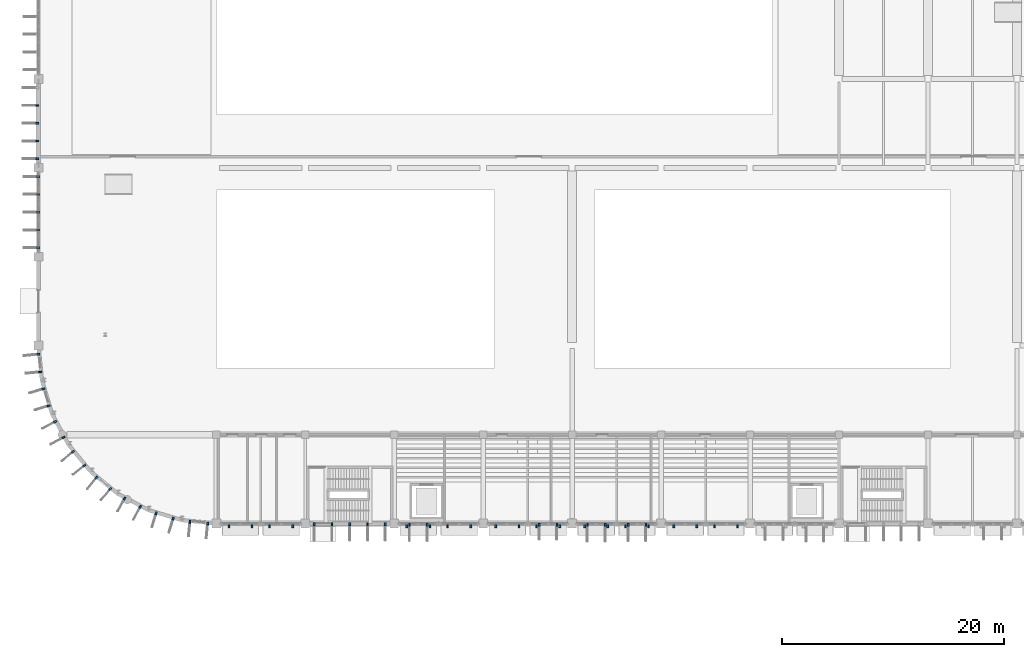
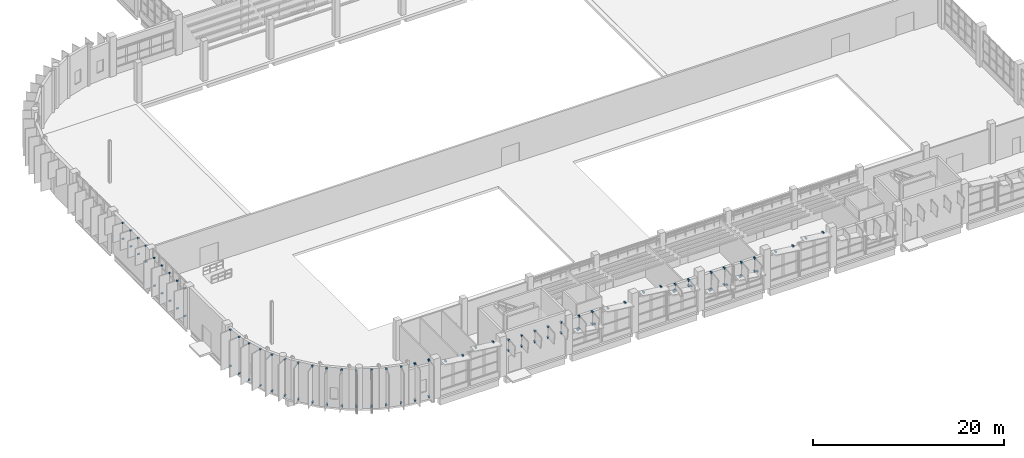
# One storey, part 87 of 103: 96 discrete accessories.
"""IFC4 building model written with IfcOpenShell, lengths in metres."""

from ifc_helpers import new_model, si_unit, direction, frame, origin, origin_2d, place, context, subcontext, project, spatial, rectangle, extrude, material, type_object, element, save


model = new_model("IFC4")

# Units and contexts
model_context = context("Model", 3, precision=1e-05, world=origin(), true_north=direction((0.0, 1.0)))
body_context = subcontext(model_context, "Body", "Model", "MODEL_VIEW")
ifc_project = project(units=[si_unit("LENGTHUNIT", "METRE"), si_unit("AREAUNIT", "SQUARE_METRE"), si_unit("VOLUMEUNIT", "CUBIC_METRE"), si_unit("PLANEANGLEUNIT", "RADIAN"), si_unit("MASSUNIT", "GRAM", prefix="KILO")], contexts=[model_context])

# Site, building, storey
site_placement = place(None, origin())
site = spatial("IfcSite", under=ifc_project, at=site_placement, CompositionType="ELEMENT")
building_placement = place(site_placement, origin())
building = spatial("IfcBuilding", under=site, at=building_placement, Name="Drelvana Railside Aquatics Centre", CompositionType="ELEMENT")
storey_placement = place(building_placement, origin())
storey = spatial("IfcBuildingStorey", under=building, at=storey_placement, Name="L00", CompositionType="ELEMENT", Elevation=0.0)

# Discrete accessories
ifc_material = material(Name="Stainless steel 316 facade bracket", Category="steel")
discrete_accessory_type = type_object("IfcDiscreteAccessoryType", Name="ACC-BRACKET-FIN", PredefinedType="BRACKET", material=ifc_material)
for number, where, z_axis, x_axis, name in (
    (1, (17.1298828125, 15.780029296875, 4.22119140625), (0.0, 0.0, 1.0), (1.0, 0.0, 0.0), "Eyelid louvre bracket BK-0001"),
    (2, (19.2099609375, 15.780029296875, 4.22119140625), (0.0, 0.0, 1.0), (1.0, 0.0, 0.0), "Eyelid louvre bracket BK-0002"),
    (3, (20.7900390625, 15.780029296875, 4.673828125), (0.0, 0.0, 1.0), (1.0, 0.0, 0.0), "Eyelid louvre bracket BK-0003"),
    (4, (22.8701171875, 15.780029296875, 4.673828125), (0.0, 0.0, 1.0), (1.0, 0.0, 0.0), "Eyelid louvre bracket BK-0004"),
):
    element("IfcDiscreteAccessory", number, at=place(storey_placement, frame(where, z_axis=z_axis, x_axis=x_axis)), inside=storey, type_object=discrete_accessory_type, Name=name, PredefinedType="BRACKET", context=body_context, shape_type="SweptSolid", body=[
        extrude(rectangle(XDim=0.159912109375, YDim=0.280029296875, at=origin_2d()), origin(), (0.0, 0.0, 1.0), 0.159912109375),
    ])
for number, where, z_axis, x_axis, name in (
    (5, (24.800048828125, 15.929931640625, 2.81494140625), (0.0, 0.0, 1.0), (0.0, -1.0, 0.0), "Shading fin bracket BK-0025"),
    (6, (24.800048828125, 15.929931640625, 4.18017578125), (0.0, 0.0, 1.0), (0.0, -1.0, 0.0), "Shading fin bracket BK-0026"),
    (7, (26.39990234375, 15.929931640625, 2.81494140625), (0.0, 0.0, 1.0), (0.0, -1.0, 0.0), "Shading fin bracket BK-0027"),
    (8, (26.39990234375, 15.929931640625, 4.18017578125), (0.0, 0.0, 1.0), (0.0, -1.0, 0.0), "Shading fin bracket BK-0028"),
    (9, (28.0, 15.929931640625, 2.81494140625), (0.0, 0.0, 1.0), (0.0, -1.0, 0.0), "Shading fin bracket BK-0029"),
    (10, (28.0, 15.929931640625, 4.18017578125), (0.0, 0.0, 1.0), (0.0, -1.0, 0.0), "Shading fin bracket BK-0030"),
    (11, (29.60009765625, 15.929931640625, 2.81494140625), (0.0, 0.0, 1.0), (0.0, -1.0, 0.0), "Shading fin bracket BK-0031"),
    (12, (29.60009765625, 15.929931640625, 4.18017578125), (0.0, 0.0, 1.0), (0.0, -1.0, 0.0), "Shading fin bracket BK-0032"),
    (13, (31.199951171875, 15.929931640625, 2.81494140625), (0.0, 0.0, 1.0), (0.0, -1.0, 0.0), "Shading fin bracket BK-0033"),
    (14, (31.199951171875, 15.929931640625, 4.18017578125), (0.0, 0.0, 1.0), (0.0, -1.0, 0.0), "Shading fin bracket BK-0034"),
    (15, (33.3701171875, 15.9150390625, 2.630859375), (0.0, 0.0, 1.0), (0.0, -1.0, 0.0), "Shading fin bracket BK-0055"),
    (16, (33.3701171875, 15.9150390625, 4.18017578125), (0.0, 0.0, 1.0), (0.0, -1.0, 0.0), "Shading fin bracket BK-0056"),
    (17, (34.969970703125, 15.9150390625, 2.630859375), (0.0, 0.0, 1.0), (0.0, -1.0, 0.0), "Shading fin bracket BK-0057"),
    (18, (34.969970703125, 15.9150390625, 4.18017578125), (0.0, 0.0, 1.0), (0.0, -1.0, 0.0), "Shading fin bracket BK-0058"),
):
    element("IfcDiscreteAccessory", number, at=place(storey_placement, frame(where, z_axis=z_axis, x_axis=x_axis)), inside=storey, type_object=discrete_accessory_type, Name=name, PredefinedType="BRACKET", context=body_context, shape_type="SweptSolid", body=[
        extrude(rectangle(XDim=0.280029296875, YDim=0.159912109375, at=origin_2d()), origin(), (0.0, 0.0, 1.0), 0.159912109375),
    ])
for number, where, z_axis, x_axis, name in (
    (19, (33.1298828125, 15.780029296875, 2.63623046875), (0.0, 0.0, 1.0), (1.0, 0.0, 0.0), "Eyelid louvre bracket BK-0059"),
    (20, (35.2099609375, 15.780029296875, 2.63623046875), (0.0, 0.0, 1.0), (1.0, 0.0, 0.0), "Eyelid louvre bracket BK-0060"),
    (21, (36.7900390625, 15.780029296875, 4.10400390625), (0.0, 0.0, 1.0), (1.0, 0.0, 0.0), "Eyelid louvre bracket BK-0061"),
    (22, (38.8701171875, 15.780029296875, 4.10400390625), (0.0, 0.0, 1.0), (1.0, 0.0, 0.0), "Eyelid louvre bracket BK-0062"),
    (23, (41.1298828125, 15.780029296875, 4.6298828125), (0.0, 0.0, 1.0), (1.0, 0.0, 0.0), "Eyelid louvre bracket BK-0083"),
    (24, (43.2099609375, 15.780029296875, 4.6298828125), (0.0, 0.0, 1.0), (1.0, 0.0, 0.0), "Eyelid louvre bracket BK-0084"),
):
    element("IfcDiscreteAccessory", number, at=place(storey_placement, frame(where, z_axis=z_axis, x_axis=x_axis)), inside=storey, type_object=discrete_accessory_type, Name=name, PredefinedType="BRACKET", context=body_context, shape_type="SweptSolid", body=[
        extrude(rectangle(XDim=0.159912109375, YDim=0.280029296875, at=origin_2d()), origin(), (0.0, 0.0, 1.0), 0.159912109375),
    ])
for number, where, z_axis, x_axis, name in (
    (25, (45.030029296875, 15.9150390625, 3.43701171875), (0.0, 0.0, 1.0), (0.0, -1.0, 0.0), "Shading fin bracket BK-0085"),
    (26, (45.030029296875, 15.9150390625, 4.18017578125), (0.0, 0.0, 1.0), (0.0, -1.0, 0.0), "Shading fin bracket BK-0086"),
    (27, (46.6298828125, 15.9150390625, 3.43701171875), (0.0, 0.0, 1.0), (0.0, -1.0, 0.0), "Shading fin bracket BK-0087"),
    (28, (46.6298828125, 15.9150390625, 4.18017578125), (0.0, 0.0, 1.0), (0.0, -1.0, 0.0), "Shading fin bracket BK-0088"),
):
    element("IfcDiscreteAccessory", number, at=place(storey_placement, frame(where, z_axis=z_axis, x_axis=x_axis)), inside=storey, type_object=discrete_accessory_type, Name=name, PredefinedType="BRACKET", context=body_context, shape_type="SweptSolid", body=[
        extrude(rectangle(XDim=0.280029296875, YDim=0.159912109375, at=origin_2d()), origin(), (0.0, 0.0, 1.0), 0.159912109375),
    ])
for number, where, z_axis, x_axis, name in (
    (29, (44.7900390625, 15.780029296875, 3.44189453125), (0.0, 0.0, 1.0), (1.0, 0.0, 0.0), "Eyelid louvre bracket BK-0089"),
    (30, (46.8701171875, 15.780029296875, 3.44189453125), (0.0, 0.0, 1.0), (1.0, 0.0, 0.0), "Eyelid louvre bracket BK-0090"),
):
    element("IfcDiscreteAccessory", number, at=place(storey_placement, frame(where, z_axis=z_axis, x_axis=x_axis)), inside=storey, type_object=discrete_accessory_type, Name=name, PredefinedType="BRACKET", context=body_context, shape_type="SweptSolid", body=[
        extrude(rectangle(XDim=0.159912109375, YDim=0.280029296875, at=origin_2d()), origin(), (0.0, 0.0, 1.0), 0.159912109375),
    ])
for number, where, z_axis, x_axis, name in (
    (31, (49.3701171875, 15.9150390625, 2.06103515625), (0.0, 0.0, 1.0), (0.0, -1.0, 0.0), "Shading fin bracket BK-0111"),
    (32, (49.3701171875, 15.9150390625, 4.18017578125), (0.0, 0.0, 1.0), (0.0, -1.0, 0.0), "Shading fin bracket BK-0112"),
    (33, (50.969970703125, 15.9150390625, 2.06103515625), (0.0, 0.0, 1.0), (0.0, -1.0, 0.0), "Shading fin bracket BK-0113"),
    (34, (50.969970703125, 15.9150390625, 4.18017578125), (0.0, 0.0, 1.0), (0.0, -1.0, 0.0), "Shading fin bracket BK-0114"),
):
    element("IfcDiscreteAccessory", number, at=place(storey_placement, frame(where, z_axis=z_axis, x_axis=x_axis)), inside=storey, type_object=discrete_accessory_type, Name=name, PredefinedType="BRACKET", context=body_context, shape_type="SweptSolid", body=[
        extrude(rectangle(XDim=0.280029296875, YDim=0.159912109375, at=origin_2d()), origin(), (0.0, 0.0, 1.0), 0.159912109375),
    ])
for number, where, z_axis, x_axis, name in (
    (35, (49.1298828125, 15.780029296875, 2.06591796875), (0.0, 0.0, 1.0), (1.0, 0.0, 0.0), "Eyelid louvre bracket BK-0115"),
    (36, (51.2099609375, 15.780029296875, 2.06591796875), (0.0, 0.0, 1.0), (1.0, 0.0, 0.0), "Eyelid louvre bracket BK-0116"),
):
    element("IfcDiscreteAccessory", number, at=place(storey_placement, frame(where, z_axis=z_axis, x_axis=x_axis)), inside=storey, type_object=discrete_accessory_type, Name=name, PredefinedType="BRACKET", context=body_context, shape_type="SweptSolid", body=[
        extrude(rectangle(XDim=0.159912109375, YDim=0.280029296875, at=origin_2d()), origin(), (0.0, 0.0, 1.0), 0.159912109375),
    ])
for number, where, z_axis, x_axis, name in (
    (37, (53.030029296875, 15.9150390625, 2.51416015625), (0.0, 0.0, 1.0), (0.0, -1.0, 0.0), "Shading fin bracket BK-0117"),
    (38, (53.030029296875, 15.9150390625, 4.18017578125), (0.0, 0.0, 1.0), (0.0, -1.0, 0.0), "Shading fin bracket BK-0118"),
    (39, (54.6298828125, 15.9150390625, 2.51416015625), (0.0, 0.0, 1.0), (0.0, -1.0, 0.0), "Shading fin bracket BK-0119"),
    (40, (54.6298828125, 15.9150390625, 4.18017578125), (0.0, 0.0, 1.0), (0.0, -1.0, 0.0), "Shading fin bracket BK-0120"),
):
    element("IfcDiscreteAccessory", number, at=place(storey_placement, frame(where, z_axis=z_axis, x_axis=x_axis)), inside=storey, type_object=discrete_accessory_type, Name=name, PredefinedType="BRACKET", context=body_context, shape_type="SweptSolid", body=[
        extrude(rectangle(XDim=0.280029296875, YDim=0.159912109375, at=origin_2d()), origin(), (0.0, 0.0, 1.0), 0.159912109375),
    ])
for number, where, z_axis, x_axis, name in (
    (41, (52.7900390625, 15.780029296875, 2.51904296875), (0.0, 0.0, 1.0), (1.0, 0.0, 0.0), "Eyelid louvre bracket BK-0121"),
    (42, (54.8701171875, 15.780029296875, 2.51904296875), (0.0, 0.0, 1.0), (1.0, 0.0, 0.0), "Eyelid louvre bracket BK-0122"),
    (43, (57.1298828125, 15.780029296875, 4.22119140625), (0.0, 0.0, 1.0), (1.0, 0.0, 0.0), "Eyelid louvre bracket BK-0143"),
    (44, (59.2099609375, 15.780029296875, 4.22119140625), (0.0, 0.0, 1.0), (1.0, 0.0, 0.0), "Eyelid louvre bracket BK-0144"),
    (45, (60.7900390625, 15.780029296875, 4.673828125), (0.0, 0.0, 1.0), (1.0, 0.0, 0.0), "Eyelid louvre bracket BK-0145"),
    (46, (62.8701171875, 15.780029296875, 4.673828125), (0.0, 0.0, 1.0), (1.0, 0.0, 0.0), "Eyelid louvre bracket BK-0146"),
):
    element("IfcDiscreteAccessory", number, at=place(storey_placement, frame(where, z_axis=z_axis, x_axis=x_axis)), inside=storey, type_object=discrete_accessory_type, Name=name, PredefinedType="BRACKET", context=body_context, shape_type="SweptSolid", body=[
        extrude(rectangle(XDim=0.159912109375, YDim=0.280029296875, at=origin_2d()), origin(), (0.0, 0.0, 1.0), 0.159912109375),
    ])
for number, where, z_axis, x_axis, name in (
    (47, (-0.010009765625, 40.800048828125, 0.81494140625), (0.0, 0.0, 1.0), (-1.0, 0.0, 0.0), "Shading fin bracket BK-0423"),
    (48, (-0.010009765625, 40.800048828125, 4.375), (0.0, 0.0, 1.0), (-1.0, 0.0, 0.0), "Shading fin bracket BK-0424"),
    (49, (-0.010009765625, 42.39990234375, 0.81494140625), (0.0, 0.0, 1.0), (-1.0, 0.0, 0.0), "Shading fin bracket BK-0425"),
    (50, (-0.010009765625, 42.39990234375, 4.375), (0.0, 0.0, 1.0), (-1.0, 0.0, 0.0), "Shading fin bracket BK-0426"),
    (51, (-0.010009765625, 44.0, 0.81494140625), (0.0, 0.0, 1.0), (-1.0, 0.0, 0.0), "Shading fin bracket BK-0427"),
    (52, (-0.010009765625, 44.0, 4.375), (0.0, 0.0, 1.0), (-1.0, 0.0, 0.0), "Shading fin bracket BK-0428"),
    (53, (-0.010009765625, 45.60009765625, 0.81494140625), (0.0, 0.0, 1.0), (-1.0, 0.0, 0.0), "Shading fin bracket BK-0429"),
    (54, (-0.010009765625, 45.60009765625, 4.375), (0.0, 0.0, 1.0), (-1.0, 0.0, 0.0), "Shading fin bracket BK-0430"),
    (55, (-0.010009765625, 47.199951171875, 0.81494140625), (0.0, 0.0, 1.0), (-1.0, 0.0, 0.0), "Shading fin bracket BK-0431"),
    (56, (-0.010009765625, 47.199951171875, 4.375), (0.0, 0.0, 1.0), (-1.0, 0.0, 0.0), "Shading fin bracket BK-0432"),
    (57, (-0.114990234375, 48.800048828125, 2.96484375), (0.0, 0.0, 1.0), (-1.0, 0.0, 0.0), "Shading fin bracket BK-0463"),
    (58, (-0.114990234375, 48.800048828125, 5.02490234375), (0.0, 0.0, 1.0), (-1.0, 0.0, 0.0), "Shading fin bracket BK-0464"),
    (59, (-0.114990234375, 50.39990234375, 2.96484375), (0.0, 0.0, 1.0), (-1.0, 0.0, 0.0), "Shading fin bracket BK-0465"),
    (60, (-0.114990234375, 50.39990234375, 5.02490234375), (0.0, 0.0, 1.0), (-1.0, 0.0, 0.0), "Shading fin bracket BK-0466"),
    (61, (-0.114990234375, 52.0, 2.96484375), (0.0, 0.0, 1.0), (-1.0, 0.0, 0.0), "Shading fin bracket BK-0467"),
    (62, (-0.114990234375, 52.0, 5.02490234375), (0.0, 0.0, 1.0), (-1.0, 0.0, 0.0), "Shading fin bracket BK-0468"),
    (63, (-0.114990234375, 53.60009765625, 2.96484375), (0.0, 0.0, 1.0), (-1.0, 0.0, 0.0), "Shading fin bracket BK-0469"),
    (64, (-0.114990234375, 53.60009765625, 5.02490234375), (0.0, 0.0, 1.0), (-1.0, 0.0, 0.0), "Shading fin bracket BK-0470"),
    (65, (-0.00927734375, 31.22705078125, 0.21484375), (0.0, 0.0, 1.0), (-0.995184726672, -0.09801714033, 0.0), "Shading fin bracket BK-0559"),
    (66, (-0.00927734375, 31.22705078125, 4.85498046875), (0.0, 0.0, 1.0), (-0.995184726672, -0.09801714033, 0.0), "Shading fin bracket BK-0560"),
    (67, (0.1474609375, 29.634765625, 0.21484375), (0.0, 0.0, 1.0), (-0.995184726672, -0.09801714033, 0.0), "Shading fin bracket BK-0561"),
    (68, (0.1474609375, 29.634765625, 4.85498046875), (0.0, 0.0, 1.0), (-0.995184726672, -0.09801714033, 0.0), "Shading fin bracket BK-0562"),
    (69, (0.44921875, 28.11865234375, 0.21484375), (0.0, 0.0, 1.0), (-0.956940335732, -0.290284677254, 0.0), "Shading fin bracket BK-0575"),
    (70, (0.44921875, 28.11865234375, 4.85498046875), (0.0, 0.0, 1.0), (-0.956940335732, -0.290284677254, 0.0), "Shading fin bracket BK-0576"),
    (71, (0.91357421875, 26.587646484375, 0.21484375), (0.0, 0.0, 1.0), (-0.956940335732, -0.290284677254, 0.0), "Shading fin bracket BK-0577"),
    (72, (0.91357421875, 26.587646484375, 4.85498046875), (0.0, 0.0, 1.0), (-0.956940335732, -0.290284677254, 0.0), "Shading fin bracket BK-0578"),
    (73, (1.505126953125, 25.159423828125, 0.21484375), (0.0, 0.0, 1.0), (-0.881921264348, -0.471396736826, 0.0), "Shading fin bracket BK-0591"),
    (74, (1.505126953125, 25.159423828125, 4.85498046875), (0.0, 0.0, 1.0), (-0.881921264348, -0.471396736826, 0.0), "Shading fin bracket BK-0592"),
    (75, (2.259521484375, 23.748291015625, 0.21484375), (0.0, 0.0, 1.0), (-0.881921264348, -0.471396736826, 0.0), "Shading fin bracket BK-0593"),
    (76, (2.259521484375, 23.748291015625, 4.85498046875), (0.0, 0.0, 1.0), (-0.881921264348, -0.471396736826, 0.0), "Shading fin bracket BK-0594"),
    (77, (3.1181640625, 22.463134765625, 0.21484375), (0.0, 0.0, 1.0), (-0.773010453363, -0.634393284164, 0.0), "Shading fin bracket BK-0607"),
    (78, (3.1181640625, 22.463134765625, 4.85498046875), (0.0, 0.0, 1.0), (-0.773010453363, -0.634393284164, 0.0), "Shading fin bracket BK-0608"),
    (79, (4.13330078125, 21.226318359375, 0.21484375), (0.0, 0.0, 1.0), (-0.773010453363, -0.634393284164, 0.0), "Shading fin bracket BK-0609"),
    (80, (4.13330078125, 21.226318359375, 4.85498046875), (0.0, 0.0, 1.0), (-0.773010453363, -0.634393284164, 0.0), "Shading fin bracket BK-0610"),
    (81, (5.226318359375, 20.13330078125, 0.21484375), (0.0, 0.0, 1.0), (-0.634393284164, -0.773010453363, 0.0), "Shading fin bracket BK-0623"),
    (82, (5.226318359375, 20.13330078125, 4.85498046875), (0.0, 0.0, 1.0), (-0.634393284164, -0.773010453363, 0.0), "Shading fin bracket BK-0624"),
    (83, (6.463134765625, 19.1181640625, 0.21484375), (0.0, 0.0, 1.0), (-0.634393284164, -0.773010453363, 0.0), "Shading fin bracket BK-0625"),
    (84, (6.463134765625, 19.1181640625, 4.85498046875), (0.0, 0.0, 1.0), (-0.634393284164, -0.773010453363, 0.0), "Shading fin bracket BK-0626"),
    (85, (7.748291015625, 18.259521484375, 0.21484375), (0.0, 0.0, 1.0), (-0.471396736826, -0.881921264348, 0.0), "Shading fin bracket BK-0639"),
    (86, (7.748291015625, 18.259521484375, 4.85498046875), (0.0, 0.0, 1.0), (-0.471396736826, -0.881921264348, 0.0), "Shading fin bracket BK-0640"),
    (87, (9.159423828125, 17.505126953125, 0.21484375), (0.0, 0.0, 1.0), (-0.471396736826, -0.881921264348, 0.0), "Shading fin bracket BK-0641"),
    (88, (9.159423828125, 17.505126953125, 4.85498046875), (0.0, 0.0, 1.0), (-0.471396736826, -0.881921264348, 0.0), "Shading fin bracket BK-0642"),
    (89, (10.587646484375, 16.91357421875, 0.21484375), (0.0, 0.0, 1.0), (-0.290284677254, -0.956940335732, 0.0), "Shading fin bracket BK-0655"),
    (90, (10.587646484375, 16.91357421875, 4.85498046875), (0.0, 0.0, 1.0), (-0.290284677254, -0.956940335732, 0.0), "Shading fin bracket BK-0656"),
    (91, (12.11865234375, 16.44921875, 0.21484375), (0.0, 0.0, 1.0), (-0.290284677254, -0.956940335732, 0.0), "Shading fin bracket BK-0657"),
    (92, (12.11865234375, 16.44921875, 4.85498046875), (0.0, 0.0, 1.0), (-0.290284677254, -0.956940335732, 0.0), "Shading fin bracket BK-0658"),
    (93, (13.634765625, 16.1474609375, 0.21484375), (0.0, 0.0, 1.0), (-0.09801714033, -0.995184726672, 0.0), "Shading fin bracket BK-0671"),
    (94, (13.634765625, 16.1474609375, 4.85498046875), (0.0, 0.0, 1.0), (-0.09801714033, -0.995184726672, 0.0), "Shading fin bracket BK-0672"),
    (95, (15.22705078125, 15.99072265625, 0.21484375), (0.0, 0.0, 1.0), (-0.09801714033, -0.995184726672, 0.0), "Shading fin bracket BK-0673"),
    (96, (15.22705078125, 15.99072265625, 4.85498046875), (0.0, 0.0, 1.0), (-0.09801714033, -0.995184726672, 0.0), "Shading fin bracket BK-0674"),
):
    element("IfcDiscreteAccessory", number, at=place(storey_placement, frame(where, z_axis=z_axis, x_axis=x_axis)), inside=storey, type_object=discrete_accessory_type, Name=name, PredefinedType="BRACKET", context=body_context, shape_type="SweptSolid", body=[
        extrude(rectangle(XDim=0.280029296875, YDim=0.159912109375, at=origin_2d()), origin(), (0.0, 0.0, 1.0), 0.159912109375),
    ])

save(model, "model.ifc")
